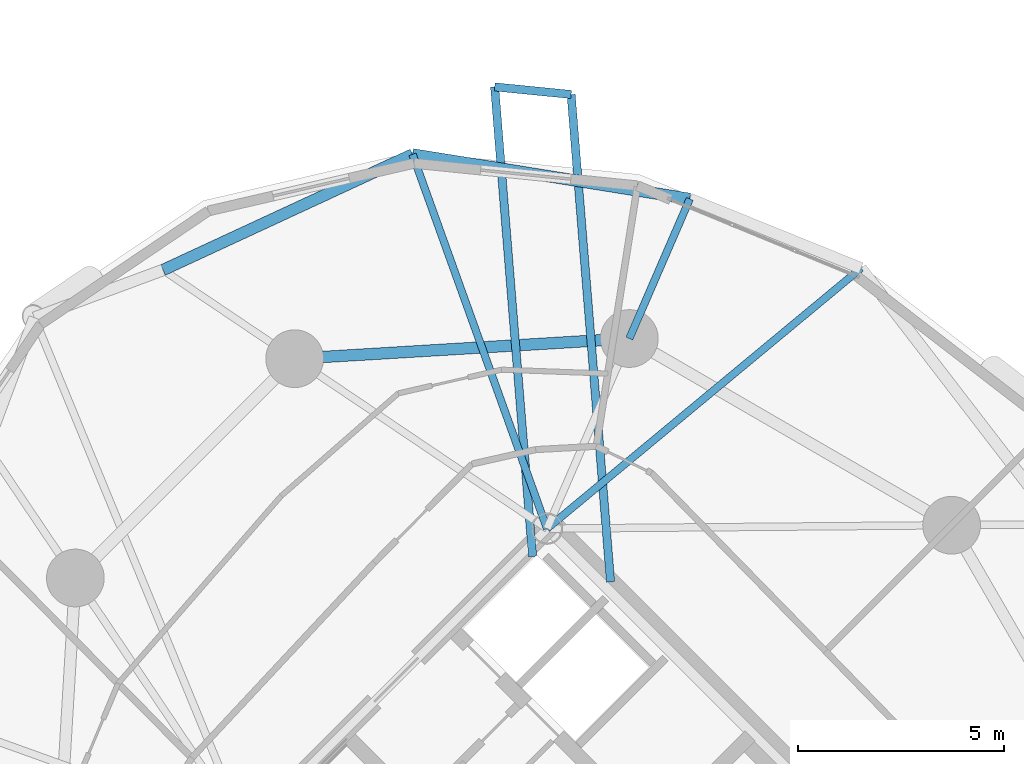
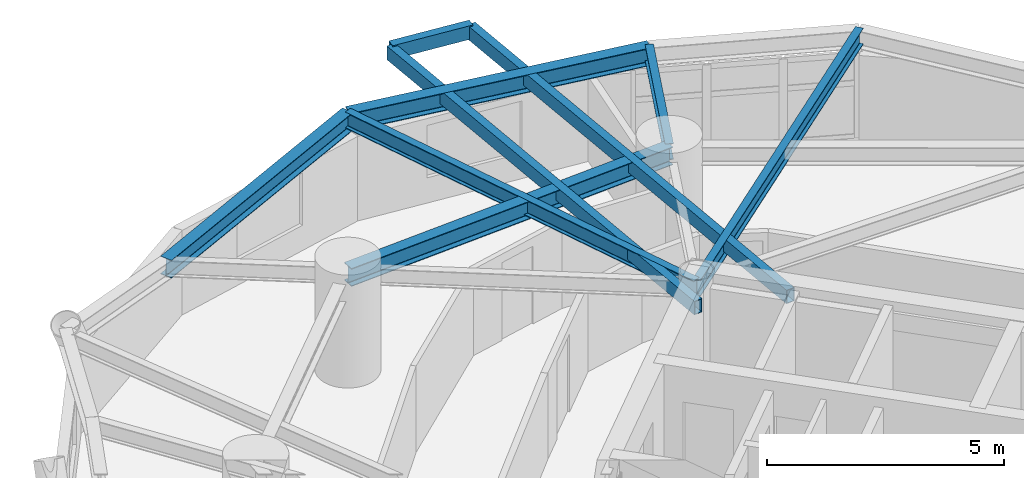
# One storey, part 6 of 17: 9 beams.
"""IFC4 building model written with IfcOpenShell, lengths in metres."""

from ifc_helpers import new_model, si_unit, direction, frame, origin, origin_2d, place, context, subcontext, project, spatial, hollow_rectangle, i_section, extrude, material, material_profile, profile_set, type_object, element, save


model = new_model("IFC4")

# Units and contexts
model_context = context("Model", 3, precision=1e-05, world=origin(), true_north=direction((0.0, 1.0)))
body_context = subcontext(model_context, "Body", "Model", "MODEL_VIEW")
ifc_project = project(units=[si_unit("LENGTHUNIT", "METRE"), si_unit("AREAUNIT", "SQUARE_METRE"), si_unit("VOLUMEUNIT", "CUBIC_METRE"), si_unit("PLANEANGLEUNIT", "RADIAN"), si_unit("MASSUNIT", "GRAM", prefix="KILO")], contexts=[model_context])

# Site, building, storey
site_placement = place(None, origin())
site = spatial("IfcSite", under=ifc_project, at=site_placement, CompositionType="ELEMENT")
building_placement = place(site_placement, origin())
building = spatial("IfcBuilding", under=site, at=building_placement, Name="Cununo Teusaquillo Station Towers", CompositionType="ELEMENT")
storey_placement = place(building_placement, frame((0.0, 0.0, 90.52001953125)))
storey = spatial("IfcBuildingStorey", under=building, at=storey_placement, Name="L28", CompositionType="ELEMENT", Elevation=90.52001953125)

# Beams
ifc_material_1 = material(Name="Steel EN 10025-2 S355J2", Category="steel")
ifc_material_profile_1 = material_profile(ifc_material_1, hollow_rectangle(XDim=0.199951171875, YDim=0.35009765625, WallThickness=0.013916015625, at=origin_2d()), Name="RHS 350x200x14")
ifc_profile_set_1 = profile_set([ifc_material_profile_1], Name="Steel EN 10025-2 S355J2")
beam_type_1 = type_object("IfcBeamType", Name="BM-BAL-CANT", PredefinedType="BEAM", material=ifc_profile_set_1)
beam_1_placement = place(storey_placement, frame((57.835205078125, 31.73095703125, 2.494873046875), z_axis=(-0.080635166538, 0.996743683159, 0.0), x_axis=(-0.996743683159, -0.080635166538, 0.0)))
element("IfcBeam", 1, at=beam_1_placement, inside=storey, type_object=beam_type_1, Name="L28 Tower B Balcony Cantilever Bracket 1A", PredefinedType="BEAM", context=body_context, shape_type="SweptSolid", body=[
    extrude(hollow_rectangle(XDim=0.199951171875, YDim=0.35009765625, WallThickness=0.013916015625, at=origin_2d()), origin(), (0.0, 0.0, 1.0), 11.862548828125),
])
beam_2_placement = place(storey_placement, frame((55.945068359375, 32.349609375, 2.494873046875), z_axis=(-0.080615645749, 0.996745262171, 0.0), x_axis=(-0.996745262171, -0.080615645749, 0.0)))
element("IfcBeam", 2, at=beam_2_placement, inside=storey, type_object=beam_type_1, Name="L28 Tower B Balcony Cantilever Bracket 1B", PredefinedType="BEAM", context=body_context, shape_type="SweptSolid", body=[
    extrude(hollow_rectangle(XDim=0.199951171875, YDim=0.35009765625, WallThickness=0.013916015625, at=origin_2d()), origin(), (0.0, 0.0, 1.0), 11.42626953125),
])
ifc_material_2 = material(Name="Steel ASTM A572 Grade 50", Category="steel")
ifc_material_profile_2 = material_profile(ifc_material_2, i_section(OverallWidth=0.180908203125, OverallDepth=0.4169921875, WebThickness=0.010986328125, FlangeThickness=0.018310546875, FilletRadius=0.012939453125, at=origin_2d()), Name="W16X57")
ifc_profile_set_2 = profile_set([ifc_material_profile_2], Name="Steel ASTM A572 Grade 50")
beam_type_2 = type_object("IfcBeamType", Name="BM-JOIST-1", PredefinedType="JOIST", material=ifc_profile_set_2)
beam_3_placement = place(storey_placement, frame((56.29443359375, 33.024169921875, 2.46142578125), z_axis=(0.769727799615, 0.638372238196, 0.0), x_axis=(-0.638372238196, 0.769727799615, 0.0)))
element("IfcBeam", 3, at=beam_3_placement, inside=storey, type_object=beam_type_2, Name="L28 Tower B Radial Spandrel Joist V01", PredefinedType="JOIST", context=body_context, shape_type="SweptSolid", body=[
    extrude(i_section(OverallWidth=0.180908203125, OverallDepth=0.4169921875, WebThickness=0.010986328125, FlangeThickness=0.018310546875, FilletRadius=0.012939453125, at=origin_2d()), origin(), (0.0, 0.0, 1.0), 9.895263671875),
])
beam_4_placement = place(storey_placement, frame((56.29443359375, 33.024169921875, 2.46142578125), z_axis=(-0.338176312038, 0.941082771055, 0.0), x_axis=(-0.941082771055, -0.338176312038, 0.0)))
element("IfcBeam", 4, at=beam_4_placement, inside=storey, type_object=beam_type_2, Name="L28 Tower B Radial Spandrel Joist V03", PredefinedType="JOIST", context=body_context, shape_type="SweptSolid", body=[
    extrude(i_section(OverallWidth=0.180908203125, OverallDepth=0.4169921875, WebThickness=0.010986328125, FlangeThickness=0.018310546875, FilletRadius=0.012939453125, at=origin_2d()), origin(), (0.0, 0.0, 1.0), 9.646484375),
])
ifc_material_3 = material(Name="Steel ASTM A572 Grade 50", Category="steel")
ifc_material_profile_3 = material_profile(ifc_material_3, i_section(OverallWidth=0.180908203125, OverallDepth=0.4169921875, WebThickness=0.010986328125, FlangeThickness=0.018310546875, FilletRadius=0.012939453125, at=origin_2d()), Name="W16X57")
ifc_profile_set_3 = profile_set([ifc_material_profile_3], Name="Steel ASTM A572 Grade 50")
beam_type_3 = type_object("IfcBeamType", Name="BM-RAD-G2", PredefinedType="BEAM", material=ifc_profile_set_3)
beam_5_placement = place(storey_placement, frame((58.291015625, 37.63525390625, 2.46142578125), z_axis=(0.397421761279, 0.917636062751, 0.0), x_axis=(-0.917636062751, 0.397421761279, 0.0)))
element("IfcBeam", 5, at=beam_5_placement, inside=storey, type_object=beam_type_3, Name="L28 Tower B Perimeter Overhang Girder 02B", PredefinedType="BEAM", context=body_context, shape_type="SweptSolid", body=[
    extrude(i_section(OverallWidth=0.180908203125, OverallDepth=0.4169921875, WebThickness=0.010986328125, FlangeThickness=0.018310546875, FilletRadius=0.012939453125, at=origin_2d()), origin(), (0.0, 0.0, 1.0), 3.690185546875),
])
ifc_material_4 = material(Name="Steel ASTM A572 Grade 50", Category="steel")
ifc_material_profile_4 = material_profile(ifc_material_4, i_section(OverallWidth=0.280029296875, OverallDepth=0.462890625, WebThickness=0.0107421875, FlangeThickness=0.017333984375, FilletRadius=0.013916015625, at=origin_2d()), Name="W18X76")
ifc_profile_set_4 = profile_set([ifc_material_profile_4], Name="Steel ASTM A572 Grade 50")
beam_type_4 = type_object("IfcBeamType", Name="BM-RING-Z2", PredefinedType="SPANDREL", material=ifc_profile_set_4)
beam_6_placement = place(storey_placement, frame((58.291015625, 37.63525390625, 2.4384765625), z_axis=(-0.998190567048, -0.06012979176, 0.0), x_axis=(0.06012979176, -0.998190567048, 0.0)))
element("IfcBeam", 6, at=beam_6_placement, inside=storey, type_object=beam_type_4, Name="L28 Tower B Structural Column Ring Girder 02", PredefinedType="SPANDREL", context=body_context, shape_type="SweptSolid", body=[
    extrude(i_section(OverallWidth=0.280029296875, OverallDepth=0.462890625, WebThickness=0.0107421875, FlangeThickness=0.017333984375, FilletRadius=0.013916015625, at=origin_2d()), origin(), (0.0, 0.0, 1.0), 8.132568359375),
])
beam_7_placement = place(storey_placement, frame((59.757568359375, 41.021484375, 2.4384765625), z_axis=(-0.987331474246, 0.158671232312, 0.0), x_axis=(-0.158671232312, -0.987331474246, 0.0)))
element("IfcBeam", 7, at=beam_7_placement, inside=storey, type_object=beam_type_4, Name="L28 Tower B Spandrel Ring Beam 03", PredefinedType="SPANDREL", context=body_context, shape_type="SweptSolid", body=[
    extrude(i_section(OverallWidth=0.280029296875, OverallDepth=0.462890625, WebThickness=0.0107421875, FlangeThickness=0.017333984375, FilletRadius=0.013916015625, at=origin_2d()), origin(), (0.0, 0.0, 1.0), 6.8115234375),
])
beam_8_placement = place(storey_placement, frame((53.0322265625, 42.102294921875, 2.4384765625), z_axis=(-0.907275870354, -0.420535961689, 0.0), x_axis=(0.420535961689, -0.907275870354, 0.0)))
element("IfcBeam", 8, at=beam_8_placement, inside=storey, type_object=beam_type_4, Name="L28 Tower B Spandrel Ring Beam 04", PredefinedType="SPANDREL", context=body_context, shape_type="SweptSolid", body=[
    extrude(i_section(OverallWidth=0.280029296875, OverallDepth=0.462890625, WebThickness=0.0107421875, FlangeThickness=0.017333984375, FilletRadius=0.013916015625, at=origin_2d()), origin(), (0.0, 0.0, 1.0), 6.671142578125),
])
ifc_material_5 = material(Name="Steel EN 10025-2 S355J2", Category="steel")
ifc_material_profile_5 = material_profile(ifc_material_5, hollow_rectangle(XDim=0.199951171875, YDim=0.35009765625, WallThickness=0.013916015625, at=origin_2d()), Name="RHS 350x200x14")
ifc_profile_set_5 = profile_set([ifc_material_profile_5], Name="Steel EN 10025-2 S355J2")
beam_type_5 = type_object("IfcBeamType", Name="BM-STAIR-TRIM", PredefinedType="BEAM", material=ifc_profile_set_5)
beam_9_placement = place(storey_placement, frame((56.878662109375, 43.554931640625, 2.52490234375), z_axis=(-0.995123704518, 0.098634743912, 0.0), x_axis=(-0.098634743912, -0.995123704518, 0.0)))
element("IfcBeam", 9, at=beam_9_placement, inside=storey, type_object=beam_type_5, Name="L28 Tower B Balcony Edge Trimmer Beam 1", PredefinedType="BEAM", context=body_context, shape_type="SweptSolid", body=[
    extrude(hollow_rectangle(XDim=0.199951171875, YDim=0.35009765625, WallThickness=0.013916015625, at=origin_2d()), origin(), (0.0, 0.0, 1.0), 1.86376953125),
])

save(model, "model.ifc")
